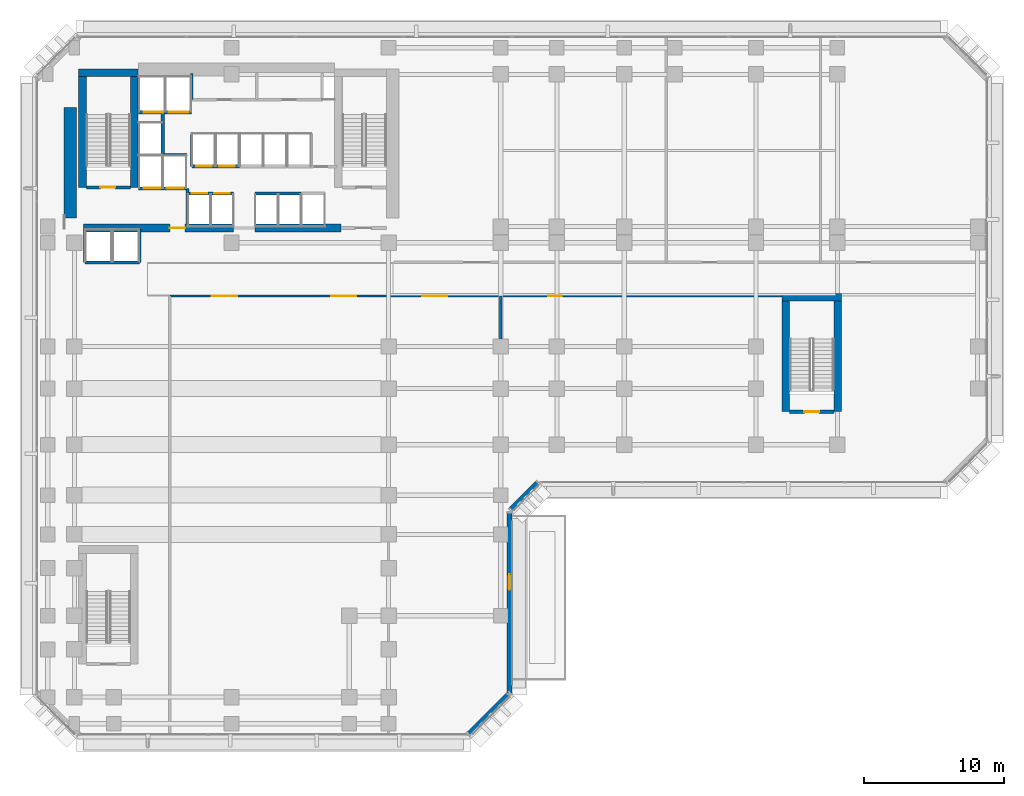
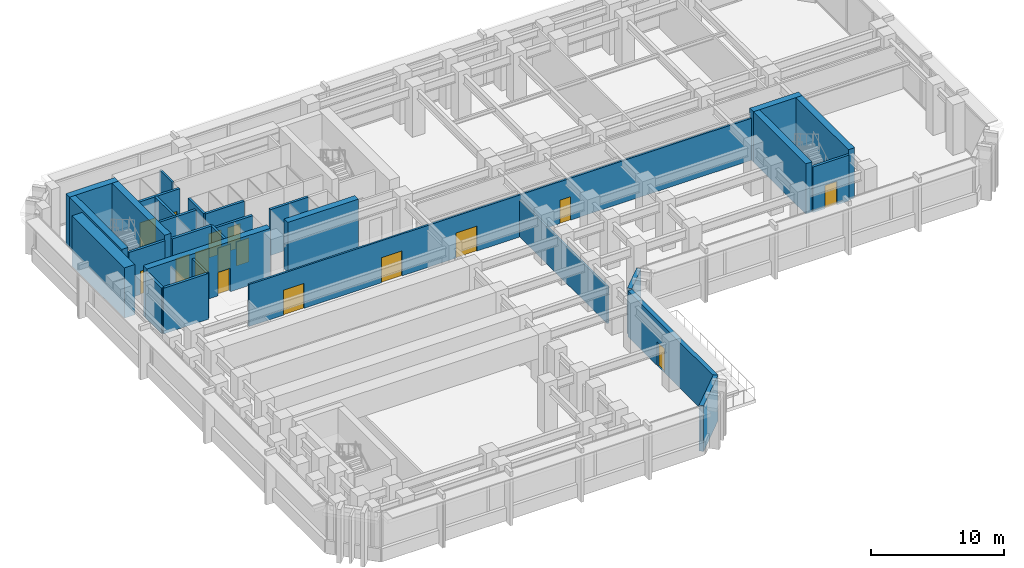
# One storey, part 7 of 16: 29 walls, 16 doors, 16 openings.
"""IFC4 building model written with IfcOpenShell, lengths in metres."""

from ifc_helpers import new_model, si_unit, direction, frame, frame_2d, origin, place, context, subcontext, project, spatial, rectangle, extrude, material, layer, layer_set, type_object, element, fill, save


model = new_model("IFC4")

# Units and contexts
model_context = context("Model", 3, precision=1e-05, world=origin(), true_north=direction((0.0, 1.0)))
body_context = subcontext(model_context, "Body", "Model", "MODEL_VIEW")
ifc_project = project(units=[si_unit("LENGTHUNIT", "METRE"), si_unit("AREAUNIT", "SQUARE_METRE"), si_unit("VOLUMEUNIT", "CUBIC_METRE"), si_unit("PLANEANGLEUNIT", "RADIAN"), si_unit("MASSUNIT", "GRAM", prefix="KILO")], contexts=[model_context])

# Site, building, storey
site_placement = place(None, origin())
site = spatial("IfcSite", under=ifc_project, at=site_placement, CompositionType="ELEMENT")
building_placement = place(site_placement, origin())
building = spatial("IfcBuilding", under=site, at=building_placement, Name="Kefirva Bronze Tower", CompositionType="ELEMENT")
storey_placement = place(building_placement, frame((0.0, 0.0, 21.1201171875)))
storey = spatial("IfcBuildingStorey", under=building, at=storey_placement, Name="L04", CompositionType="ELEMENT", Elevation=21.1201171875)

# Wall, opening, door
ifc_material_1 = material(Name="Gypsum fireboard shaftwall")
ifc_layer_1 = layer(ifc_material_1, 0.219970703125, Name="Gypsum fireboard shaftwall")
ifc_layer_set_1 = layer_set([ifc_layer_1], Name="Gypsum fireboard shaftwall")
wall_type_1 = type_object("IfcWallType", Name="Fire-Rated Shaft Enclosure Wall 220mm", PredefinedType="PARTITIONING", material=ifc_layer_set_1)
wall_1_placement = place(storey_placement, frame((1.64990234375, 37.14990234375, 0.0), z_axis=(0.0, 0.0, 1.0), x_axis=(1.0, 0.0, 0.0)))
wall_1 = element("IfcWall", 1, at=wall_1_placement, inside=storey, type_object=wall_type_1, Name="L04 Partition W-L04-ST1S", PredefinedType="PARTITIONING", context=body_context, shape_type="SweptSolid", body=[
    extrude(rectangle(XDim=3.150146484375, YDim=0.219970703125, at=frame_2d((1.5751953125, 0.0))), origin(), (0.0, 0.0, 1.0), 4.199951171875),
])
opening_1_placement = place(wall_1_placement, frame((2.050048828125, 0.0, 0.0), z_axis=(0.0, 0.0, 1.0), x_axis=(-1.0, 0.0, 0.0)))
opening_1 = element("IfcOpeningElement", 2, at=opening_1_placement, cuts=wall_1, Name="Opening L04-D001", PredefinedType="OPENING", context=body_context, shape_type="SweptSolid", body=[
    extrude(rectangle(XDim=1.050048828125, YDim=2.14990234375, at=frame_2d((0.52490234375, 1.074951171875))), frame((0.0, 0.1201171875, 0.0), z_axis=(0.0, -1.0, 0.0), x_axis=(1.0, 0.0, 0.0)), (0.0, 0.0, 1.0), 0.239990234375),
])
ifc_material_2 = material(Name="Painted galvanized steel", Category="steel")
door_type_1 = type_object("IfcDoorType", Name="Fire Stair Enclosure Door 1050x2150 FD90S", OperationType="NOTDEFINED", PredefinedType="DOOR", material=ifc_material_2)
door_1_placement = place(opening_1_placement, origin())
door_1 = element("IfcDoor", 3, at=door_1_placement, inside=storey, type_object=door_type_1, Name="Door L04-D001", OperationType="SINGLE_SWING_RIGHT", OverallHeight=2.14990234375, OverallWidth=1.050048828125, PredefinedType="DOOR", context=body_context, shape_type="SweptSolid", body=[
    extrude(rectangle(XDim=1.050048828125, YDim=2.14990234375, at=frame_2d((0.52490234375, 1.074951171875))), frame((0.0, 0.02490234375, 0.0), z_axis=(0.0, -1.0, 0.0), x_axis=(1.0, 0.0, 0.0)), (0.0, 0.0, 1.0), 0.050048828125),
])
fill(opening_1, door_1)

# Wall, openings, doors
wall_2_placement = place(storey_placement, frame((5.3798828125, 37.080078125, 0.0), z_axis=(0.0, 0.0, 1.0), x_axis=(1.0, 0.0, 0.0)))
wall_2 = element("IfcWall", 4, at=wall_2_placement, inside=storey, type_object=wall_type_1, Name="L04 Partition W-L04-FFS", PredefinedType="PARTITIONING", context=body_context, shape_type="SweptSolid", body=[
    extrude(rectangle(XDim=3.460205078125, YDim=0.219970703125, at=frame_2d((1.72998046875, 0.0))), origin(), (0.0, 0.0, 1.0), 4.199951171875),
])
opening_2_placement = place(wall_2_placement, frame((1.550048828125, 0.0, 0.0), z_axis=(0.0, 0.0, 1.0), x_axis=(-1.0, 0.0, 0.0)))
opening_2 = element("IfcOpeningElement", 5, at=opening_2_placement, cuts=wall_2, Name="Opening L04-LD-FF1", PredefinedType="OPENING", context=body_context, shape_type="SweptSolid", body=[
    extrude(rectangle(XDim=1.199951171875, YDim=2.199951171875, at=frame_2d((0.60009765625, 1.10009765625))), frame((0.0, 0.1201171875, 0.0), z_axis=(0.0, -1.0, 0.0), x_axis=(1.0, 0.0, 0.0)), (0.0, 0.0, 1.0), 0.239990234375),
])
opening_3_placement = place(wall_2_placement, frame((3.219970703125, 0.0, 0.0), z_axis=(0.0, 0.0, 1.0), x_axis=(-1.0, 0.0, 0.0)))
opening_3 = element("IfcOpeningElement", 6, at=opening_3_placement, cuts=wall_2, Name="Opening L04-LD-FF2", PredefinedType="OPENING", context=body_context, shape_type="SweptSolid", body=[
    extrude(rectangle(XDim=1.199951171875, YDim=2.199951171875, at=frame_2d((0.60009765625, 1.10009765625))), frame((0.0, 0.1201171875, 0.0), z_axis=(0.0, -1.0, 0.0), x_axis=(1.0, 0.0, 0.0)), (0.0, 0.0, 1.0), 0.239990234375),
])
ifc_material_3 = material(Name="Stainless steel 316", Category="steel")
door_type_2 = type_object("IfcDoorType", Name="Firefighting Lift Sliding Door 1200x2200", OperationType="SLIDING_TO_RIGHT", PredefinedType="DOOR", material=ifc_material_3)
door_2_placement = place(opening_2_placement, origin())
door_2 = element("IfcDoor", 7, at=door_2_placement, inside=storey, type_object=door_type_2, Name="Door L04-LD-FF1", OperationType="SLIDING_TO_RIGHT", OverallHeight=2.199951171875, OverallWidth=1.199951171875, PredefinedType="DOOR", context=body_context, shape_type="SweptSolid", body=[
    extrude(rectangle(XDim=1.199951171875, YDim=2.199951171875, at=frame_2d((0.60009765625, 1.10009765625))), frame((0.0, 0.02490234375, 0.0), z_axis=(0.0, -1.0, 0.0), x_axis=(1.0, 0.0, 0.0)), (0.0, 0.0, 1.0), 0.050048828125),
])
fill(opening_2, door_2)
door_3_placement = place(opening_3_placement, origin())
door_3 = element("IfcDoor", 8, at=door_3_placement, inside=storey, type_object=door_type_2, Name="Door L04-LD-FF2", OperationType="SLIDING_TO_RIGHT", OverallHeight=2.199951171875, OverallWidth=1.199951171875, PredefinedType="DOOR", context=body_context, shape_type="SweptSolid", body=[
    extrude(rectangle(XDim=1.199951171875, YDim=2.199951171875, at=frame_2d((0.60009765625, 1.10009765625))), frame((0.0, 0.02490234375, 0.0), z_axis=(0.0, -1.0, 0.0), x_axis=(1.0, 0.0, 0.0)), (0.0, 0.0, 1.0), 0.050048828125),
])
fill(opening_3, door_3)

# Wall
wall_3_placement = place(storey_placement, frame((5.3798828125, 39.449951171875, 0.0), z_axis=(0.0, 0.0, 1.0), x_axis=(1.0, 0.0, 0.0)))
element("IfcWall", 9, at=wall_3_placement, inside=storey, type_object=wall_type_1, Name="L04 Partition W-L04-FFN", PredefinedType="PARTITIONING", context=body_context, shape_type="SweptSolid", body=[
    extrude(rectangle(XDim=3.460205078125, YDim=0.219970703125, at=frame_2d((1.72998046875, 0.0))), origin(), (0.0, 0.0, 1.0), 4.199951171875),
])

# Wall, openings, doors
wall_4_placement = place(storey_placement, frame((5.3798828125, 42.5, 0.0), z_axis=(0.0, 0.0, 1.0), x_axis=(1.0, 0.0, 0.0)))
wall_4 = element("IfcWall", 10, at=wall_4_placement, inside=storey, type_object=wall_type_1, Name="L04 Partition W-L04-SVS", PredefinedType="PARTITIONING", context=body_context, shape_type="SweptSolid", body=[
    extrude(rectangle(XDim=3.77001953125, YDim=0.219970703125, at=frame_2d((1.885009765625, 0.0))), origin(), (0.0, 0.0, 1.0), 4.199951171875),
])
opening_4_placement = place(wall_4_placement, frame((1.75, 0.0, 0.0), z_axis=(0.0, 0.0, 1.0), x_axis=(-1.0, 0.0, 0.0)))
opening_4 = element("IfcOpeningElement", 11, at=opening_4_placement, cuts=wall_4, Name="Opening L04-LD-SV1", PredefinedType="OPENING", context=body_context, shape_type="SweptSolid", body=[
    extrude(rectangle(XDim=1.39990234375, YDim=2.199951171875, at=frame_2d((0.699951171875, 1.10009765625))), frame((0.0, 0.1201171875, 0.0), z_axis=(0.0, -1.0, 0.0), x_axis=(1.0, 0.0, 0.0)), (0.0, 0.0, 1.0), 0.239990234375),
])
opening_5_placement = place(wall_4_placement, frame((3.52978515625, 0.0, 0.0), z_axis=(0.0, 0.0, 1.0), x_axis=(-1.0, 0.0, 0.0)))
opening_5 = element("IfcOpeningElement", 12, at=opening_5_placement, cuts=wall_4, Name="Opening L04-LD-SV2", PredefinedType="OPENING", context=body_context, shape_type="SweptSolid", body=[
    extrude(rectangle(XDim=1.39990234375, YDim=2.199951171875, at=frame_2d((0.699951171875, 1.10009765625))), frame((0.0, 0.1201171875, 0.0), z_axis=(0.0, -1.0, 0.0), x_axis=(1.0, 0.0, 0.0)), (0.0, 0.0, 1.0), 0.239990234375),
])
door_type_3 = type_object("IfcDoorType", Name="Goods Lift Bi-Parting Sliding Door 1400x2200", OperationType="SLIDING_TO_LEFT", PredefinedType="DOOR", material=ifc_material_3)
door_4_placement = place(opening_4_placement, origin())
door_4 = element("IfcDoor", 13, at=door_4_placement, inside=storey, type_object=door_type_3, Name="Door L04-LD-SV1", OperationType="SLIDING_TO_LEFT", OverallHeight=2.199951171875, OverallWidth=1.39990234375, PredefinedType="DOOR", context=body_context, shape_type="SweptSolid", body=[
    extrude(rectangle(XDim=1.39990234375, YDim=2.199951171875, at=frame_2d((0.699951171875, 1.10009765625))), frame((0.0, 0.02490234375, 0.0), z_axis=(0.0, -1.0, 0.0), x_axis=(1.0, 0.0, 0.0)), (0.0, 0.0, 1.0), 0.050048828125),
])
fill(opening_4, door_4)
door_5_placement = place(opening_5_placement, origin())
door_5 = element("IfcDoor", 14, at=door_5_placement, inside=storey, type_object=door_type_3, Name="Door L04-LD-SV2", OperationType="SLIDING_TO_LEFT", OverallHeight=2.199951171875, OverallWidth=1.39990234375, PredefinedType="DOOR", context=body_context, shape_type="SweptSolid", body=[
    extrude(rectangle(XDim=1.39990234375, YDim=2.199951171875, at=frame_2d((0.699951171875, 1.10009765625))), frame((0.0, 0.02490234375, 0.0), z_axis=(0.0, -1.0, 0.0), x_axis=(1.0, 0.0, 0.0)), (0.0, 0.0, 1.0), 0.050048828125),
])
fill(opening_5, door_5)

# Walls
wall_5_placement = place(storey_placement, frame((7.10009765625, 39.52001953125, 0.0), z_axis=(0.0, 0.0, 1.0), x_axis=(0.0, 1.0, 0.0)))
element("IfcWall", 15, at=wall_5_placement, inside=storey, type_object=wall_type_1, Name="L04 Partition W-L04-HP3E", PredefinedType="PARTITIONING", context=body_context, shape_type="SweptSolid", body=[
    extrude(rectangle(XDim=2.929931640625, YDim=0.219970703125, at=frame_2d((1.46484375, 0.0))), origin(), (0.0, 0.0, 1.0), 4.199951171875),
])
wall_6_placement = place(storey_placement, frame((1.550048828125, 31.800048828125, 0.0), z_axis=(0.0, 0.0, 1.0), x_axis=(1.0, 0.0, 0.0)))
element("IfcWall", 16, at=wall_6_placement, inside=storey, type_object=wall_type_1, Name="L04 Partition W-L04-OBS", PredefinedType="PARTITIONING", context=body_context, shape_type="SweptSolid", body=[
    extrude(rectangle(XDim=3.89990234375, YDim=0.219970703125, at=frame_2d((1.949951171875, 0.0))), origin(), (0.0, 0.0, 1.0), 4.199951171875),
])
for number, where, z_axis, x_axis, name in (
    (17, (1.550048828125, 31.800048828125, 0.0), (0.0, 0.0, 1.0), (0.0, 1.0, 0.0), "L04 Partition W-L04-OBW"),
    (18, (5.449951171875, 31.800048828125, 0.0), (0.0, 0.0, 1.0), (0.0, 1.0, 0.0), "L04 Partition W-L04-OBE"),
):
    element("IfcWall", number, at=place(storey_placement, frame(where, z_axis=z_axis, x_axis=x_axis)), inside=storey, type_object=wall_type_1, Name=name, PredefinedType="PARTITIONING", context=body_context, shape_type="SweptSolid", body=[
        extrude(rectangle(XDim=2.3798828125, YDim=0.219970703125, at=frame_2d((1.18994140625, 0.0))), origin(), (0.0, 0.0, 1.0), 4.199951171875),
    ])
wall_7_placement = place(storey_placement, frame((9.159912109375, 38.64990234375, 0.0), z_axis=(0.0, 0.0, 1.0), x_axis=(0.0, 1.0, 0.0)))
element("IfcWall", 19, at=wall_7_placement, inside=storey, type_object=wall_type_1, Name="L04 Partition W-L04-LP3W", PredefinedType="PARTITIONING", context=body_context, shape_type="SweptSolid", body=[
    extrude(rectangle(XDim=2.35009765625, YDim=0.199951171875, at=frame_2d((1.175048828125, 0.0))), origin(), (0.0, 0.0, 1.0), 4.199951171875),
])

# Wall, openings, doors
wall_8_placement = place(storey_placement, frame((8.89990234375, 36.699951171875, 0.0), z_axis=(0.0, 0.0, 1.0), x_axis=(1.0, 0.0, 0.0)))
wall_8 = element("IfcWall", 20, at=wall_8_placement, inside=storey, type_object=wall_type_1, Name="L04 Partition W-L04-LPS", PredefinedType="PARTITIONING", context=body_context, shape_type="SweptSolid", body=[
    extrude(rectangle(XDim=3.260009765625, YDim=0.219970703125, at=frame_2d((1.6298828125, 0.0))), origin(), (0.0, 0.0, 1.0), 4.199951171875),
])
opening_6_placement = place(wall_8_placement, frame((0.260009765625, 0.0, 0.0)))
opening_6 = element("IfcOpeningElement", 21, at=opening_6_placement, cuts=wall_8, Name="Opening L04-LD-LP1", PredefinedType="OPENING", context=body_context, shape_type="SweptSolid", body=[
    extrude(rectangle(XDim=1.10009765625, YDim=2.199951171875, at=frame_2d((0.550048828125, 1.10009765625))), frame((0.0, 0.1201171875, 0.0), z_axis=(0.0, -1.0, 0.0), x_axis=(1.0, 0.0, 0.0)), (0.0, 0.0, 1.0), 0.239990234375),
])
opening_7_placement = place(wall_8_placement, frame((1.8798828125, 0.0, 0.0)))
opening_7 = element("IfcOpeningElement", 22, at=opening_7_placement, cuts=wall_8, Name="Opening L04-LD-LP2", PredefinedType="OPENING", context=body_context, shape_type="SweptSolid", body=[
    extrude(rectangle(XDim=1.10009765625, YDim=2.199951171875, at=frame_2d((0.550048828125, 1.10009765625))), frame((0.0, 0.1201171875, 0.0), z_axis=(0.0, -1.0, 0.0), x_axis=(1.0, 0.0, 0.0)), (0.0, 0.0, 1.0), 0.239990234375),
])
door_type_4 = type_object("IfcDoorType", Name="Passenger Lift Sliding Landing Door 1100x2200", OperationType="SLIDING_TO_LEFT", PredefinedType="DOOR", material=ifc_material_3)
door_6_placement = place(opening_6_placement, origin())
door_6 = element("IfcDoor", 23, at=door_6_placement, inside=storey, type_object=door_type_4, Name="Door L04-LD-LP1", OperationType="SLIDING_TO_LEFT", OverallHeight=2.199951171875, OverallWidth=1.10009765625, PredefinedType="DOOR", context=body_context, shape_type="SweptSolid", body=[
    extrude(rectangle(XDim=1.10009765625, YDim=2.199951171875, at=frame_2d((0.550048828125, 1.10009765625))), frame((0.0, 0.02490234375, 0.0), z_axis=(0.0, -1.0, 0.0), x_axis=(1.0, 0.0, 0.0)), (0.0, 0.0, 1.0), 0.050048828125),
])
fill(opening_6, door_6)
door_7_placement = place(opening_7_placement, origin())
door_7 = element("IfcDoor", 24, at=door_7_placement, inside=storey, type_object=door_type_4, Name="Door L04-LD-LP2", OperationType="SLIDING_TO_LEFT", OverallHeight=2.199951171875, OverallWidth=1.10009765625, PredefinedType="DOOR", context=body_context, shape_type="SweptSolid", body=[
    extrude(rectangle(XDim=1.10009765625, YDim=2.199951171875, at=frame_2d((0.550048828125, 1.10009765625))), frame((0.0, 0.02490234375, 0.0), z_axis=(0.0, -1.0, 0.0), x_axis=(1.0, 0.0, 0.0)), (0.0, 0.0, 1.0), 0.050048828125),
])
fill(opening_7, door_7)

wall_9_placement = place(storey_placement, frame((9.179931640625, 38.64990234375, 0.0), z_axis=(0.0, 0.0, 1.0), x_axis=(1.0, 0.0, 0.0)))
wall_9 = element("IfcWall", 25, at=wall_9_placement, inside=storey, type_object=wall_type_1, Name="L04 Partition W-L04-LPN", PredefinedType="PARTITIONING", context=body_context, shape_type="SweptSolid", body=[
    extrude(rectangle(XDim=3.380126953125, YDim=0.219970703125, at=frame_2d((1.68994140625, 0.0))), origin(), (0.0, 0.0, 1.0), 4.199951171875),
])
opening_8_placement = place(wall_9_placement, frame((0.300048828125, 0.0, 0.0)))
opening_8 = element("IfcOpeningElement", 26, at=opening_8_placement, cuts=wall_9, Name="Opening L04-LD-LP3", PredefinedType="OPENING", context=body_context, shape_type="SweptSolid", body=[
    extrude(rectangle(XDim=1.10009765625, YDim=2.199951171875, at=frame_2d((0.550048828125, 1.10009765625))), frame((0.0, 0.1201171875, 0.0), z_axis=(0.0, -1.0, 0.0), x_axis=(1.0, 0.0, 0.0)), (0.0, 0.0, 1.0), 0.239990234375),
])
opening_9_placement = place(wall_9_placement, frame((1.949951171875, 0.0, 0.0)))
opening_9 = element("IfcOpeningElement", 27, at=opening_9_placement, cuts=wall_9, Name="Opening L04-LD-LP4", PredefinedType="OPENING", context=body_context, shape_type="SweptSolid", body=[
    extrude(rectangle(XDim=1.10009765625, YDim=2.199951171875, at=frame_2d((0.550048828125, 1.10009765625))), frame((0.0, 0.1201171875, 0.0), z_axis=(0.0, -1.0, 0.0), x_axis=(1.0, 0.0, 0.0)), (0.0, 0.0, 1.0), 0.239990234375),
])
door_8_placement = place(opening_8_placement, origin())
door_8 = element("IfcDoor", 28, at=door_8_placement, inside=storey, type_object=door_type_4, Name="Door L04-LD-LP3", OperationType="SLIDING_TO_LEFT", OverallHeight=2.199951171875, OverallWidth=1.10009765625, PredefinedType="DOOR", context=body_context, shape_type="SweptSolid", body=[
    extrude(rectangle(XDim=1.10009765625, YDim=2.199951171875, at=frame_2d((0.550048828125, 1.10009765625))), frame((0.0, 0.02490234375, 0.0), z_axis=(0.0, -1.0, 0.0), x_axis=(1.0, 0.0, 0.0)), (0.0, 0.0, 1.0), 0.050048828125),
])
fill(opening_8, door_8)
door_9_placement = place(opening_9_placement, origin())
door_9 = element("IfcDoor", 29, at=door_9_placement, inside=storey, type_object=door_type_4, Name="Door L04-LD-LP4", OperationType="SLIDING_TO_LEFT", OverallHeight=2.199951171875, OverallWidth=1.10009765625, PredefinedType="DOOR", context=body_context, shape_type="SweptSolid", body=[
    extrude(rectangle(XDim=1.10009765625, YDim=2.199951171875, at=frame_2d((0.550048828125, 1.10009765625))), frame((0.0, 0.02490234375, 0.0), z_axis=(0.0, -1.0, 0.0), x_axis=(1.0, 0.0, 0.0)), (0.0, 0.0, 1.0), 0.050048828125),
])
fill(opening_9, door_9)

# Wall
wall_10_placement = place(storey_placement, frame((13.679931640625, 36.699951171875, 0.0), z_axis=(0.0, 0.0, 1.0), x_axis=(1.0, 0.0, 0.0)))
element("IfcWall", 30, at=wall_10_placement, inside=storey, type_object=wall_type_1, Name="L04 Partition W-L04-MPS", PredefinedType="PARTITIONING", context=body_context, shape_type="SweptSolid", body=[
    extrude(rectangle(XDim=3.280029296875, YDim=0.219970703125, at=frame_2d((1.64013671875, 0.0))), origin(), (0.0, 0.0, 1.0), 4.199951171875),
])

# Wall, opening, door
wall_11_placement = place(storey_placement, frame((51.800048828125, 21.14990234375, 0.0), z_axis=(0.0, 0.0, 1.0), x_axis=(1.0, 0.0, 0.0)))
wall_11 = element("IfcWall", 31, at=wall_11_placement, inside=storey, type_object=wall_type_1, Name="L04 Partition W-L04-ST4S", PredefinedType="PARTITIONING", context=body_context, shape_type="SweptSolid", body=[
    extrude(rectangle(XDim=3.14990234375, YDim=0.219970703125, at=frame_2d((1.574951171875, 0.0))), origin(), (0.0, 0.0, 1.0), 4.199951171875),
])
opening_10_placement = place(wall_11_placement, frame((2.10009765625, 0.0, 0.0), z_axis=(0.0, 0.0, 1.0), x_axis=(-1.0, 0.0, 0.0)))
opening_10 = element("IfcOpeningElement", 32, at=opening_10_placement, cuts=wall_11, Name="Opening L04-D-ST4", PredefinedType="OPENING", context=body_context, shape_type="SweptSolid", body=[
    extrude(rectangle(XDim=1.050048828125, YDim=2.14990234375, at=frame_2d((0.52490234375, 1.074951171875))), frame((0.0, 0.1201171875, 0.0), z_axis=(0.0, -1.0, 0.0), x_axis=(1.0, 0.0, 0.0)), (0.0, 0.0, 1.0), 0.239990234375),
])
door_10_placement = place(opening_10_placement, origin())
door_10 = element("IfcDoor", 33, at=door_10_placement, inside=storey, type_object=door_type_1, Name="Door L04-D-ST4", OperationType="SINGLE_SWING_RIGHT", OverallHeight=2.14990234375, OverallWidth=1.050048828125, PredefinedType="DOOR", context=body_context, shape_type="SweptSolid", body=[
    extrude(rectangle(XDim=1.050048828125, YDim=2.14990234375, at=frame_2d((0.52490234375, 1.074951171875))), frame((0.0, 0.02490234375, 0.0), z_axis=(0.0, -1.0, 0.0), x_axis=(1.0, 0.0, 0.0)), (0.0, 0.0, 1.0), 0.050048828125),
])
fill(opening_10, door_10)

# Walls
ifc_material_4 = material(Name="Gypsum fireboard barrier")
ifc_layer_2 = layer(ifc_material_4, 0.199951171875, Name="Gypsum fireboard barrier")
ifc_layer_set_2 = layer_set([ifc_layer_2], Name="Gypsum fireboard barrier")
wall_type_2 = type_object("IfcWallType", Name="Firefighting Lobby Barrier Wall 200mm", PredefinedType="PARTITIONING", material=ifc_layer_set_2)
wall_12_placement = place(storey_placement, frame((8.860107421875, 34.550048828125, 0.0), z_axis=(0.0, 0.0, 1.0), x_axis=(0.0, 1.0, 0.0)))
element("IfcWall", 34, at=wall_12_placement, inside=storey, type_object=wall_type_2, Name="L04 Partition W-L04-FFLE", PredefinedType="PARTITIONING", context=body_context, shape_type="SweptSolid", body=[
    extrude(rectangle(XDim=2.5, YDim=0.199951171875, at=frame_2d((1.25, 0.0))), origin(), (0.0, 0.0, 1.0), 4.199951171875),
])
ifc_material_5 = material(Name="Precast concrete C40/50", Category="concrete")
ifc_layer_3 = layer(ifc_material_5, 0.360107421875, Name="Precast concrete C40/50")
ifc_layer_set_3 = layer_set([ifc_layer_3], Name="Precast concrete C40/50")
wall_type_3 = type_object("IfcWallType", Name="Precast Podium Facade Wall 360mm", PredefinedType="SOLIDWALL", material=ifc_layer_set_3)
wall_13_placement = place(storey_placement, frame((28.91162109375, -1.833740234375, 0.0), z_axis=(0.0, 0.0, 1.0), x_axis=(0.707106781187, 0.707106781187, 0.0)))
element("IfcWall", 35, at=wall_13_placement, inside=storey, type_object=wall_type_3, Name="L04 Exterior Facade Wall 1", PredefinedType="SOLIDWALL", context=body_context, shape_type="SweptSolid", body=[
    extrude(rectangle(XDim=4.132568359375, YDim=0.360107421875, at=frame_2d((2.06640625, 0.0))), origin(), (0.0, 0.0, 1.0), 4.199951171875),
])

# Wall, opening, door
wall_14_placement = place(storey_placement, frame((31.820068359375, 1.054931640625, 0.0), z_axis=(0.0, 0.0, 1.0), x_axis=(0.0, 1.0, 0.0)))
wall_14 = element("IfcWall", 36, at=wall_14_placement, inside=storey, type_object=wall_type_3, Name="L04 Exterior Facade Wall 2", PredefinedType="SOLIDWALL", context=body_context, shape_type="SweptSolid", body=[
    extrude(rectangle(XDim=12.89013671875, YDim=0.360107421875, at=frame_2d((6.445068359375, 0.0))), origin(), (0.0, 0.0, 1.0), 4.199951171875),
])
opening_11_placement = place(wall_14_placement, frame((8.491943359375, 0.0, 0.0), z_axis=(0.0, 0.0, 1.0), x_axis=(-1.0, 0.0, 0.0)))
opening_11 = element("IfcOpeningElement", 37, at=opening_11_placement, cuts=wall_14, Name="Opening D-TR1", PredefinedType="OPENING", context=body_context, shape_type="SweptSolid", body=[
    extrude(rectangle(XDim=1.10009765625, YDim=2.199951171875, at=frame_2d((0.550048828125, 1.10009765625))), frame((0.0, 0.18994140625, 0.0), z_axis=(0.0, -1.0, 0.0), x_axis=(1.0, 0.0, 0.0)), (0.0, 0.0, 1.0), 0.380126953125),
])
ifc_material_6 = material(Name="Bronze anodised aluminium", Category="aluminium")
door_type_5 = type_object("IfcDoorType", Name="Exterior Sky-Terrace Glazed Door 1100x2200", OperationType="NOTDEFINED", PredefinedType="DOOR", material=ifc_material_6)
door_11_placement = place(opening_11_placement, origin())
door_11 = element("IfcDoor", 38, at=door_11_placement, inside=storey, type_object=door_type_5, Name="L04 Sky-Garden Terrace Access Door", OperationType="SINGLE_SWING_LEFT", OverallHeight=2.199951171875, OverallWidth=1.10009765625, PredefinedType="DOOR", context=body_context, shape_type="SweptSolid", body=[
    extrude(rectangle(XDim=1.10009765625, YDim=2.199951171875, at=frame_2d((0.550048828125, 1.10009765625))), frame((0.0, 0.02490234375, 0.0), z_axis=(0.0, -1.0, 0.0), x_axis=(1.0, 0.0, 0.0)), (0.0, 0.0, 1.0), 0.050048828125),
])
fill(opening_11, door_11)

# Wall
wall_15_placement = place(storey_placement, frame((31.91162109375, 14.166259765625, 0.0), z_axis=(0.0, 0.0, 1.0), x_axis=(0.707106781187, 0.707106781187, 0.0)))
element("IfcWall", 39, at=wall_15_placement, inside=storey, type_object=wall_type_3, Name="L04 Exterior Facade Wall 3", PredefinedType="SOLIDWALL", context=body_context, shape_type="SweptSolid", body=[
    extrude(rectangle(XDim=2.71826171875, YDim=0.360107421875, at=frame_2d((1.359130859375, 0.0))), origin(), (0.0, 0.0, 1.0), 4.199951171875),
])

# Wall, openings, doors
ifc_material_7 = material(Name="Gypsum acoustic partition")
ifc_layer_4 = layer(ifc_material_7, 0.159912109375, Name="Gypsum acoustic partition")
ifc_layer_set_4 = layer_set([ifc_layer_4], Name="Gypsum acoustic partition")
wall_type_4 = type_object("IfcWallType", Name="Protected Corridor Partition 160mm", PredefinedType="PARTITIONING", material=ifc_layer_set_4)
wall_16_placement = place(storey_placement, frame((7.60009765625, 29.39990234375, 0.0), z_axis=(0.0, 0.0, 1.0), x_axis=(1.0, 0.0, 0.0)))
wall_16 = element("IfcWall", 40, at=wall_16_placement, inside=storey, type_object=wall_type_4, Name="L04 Partition W-L04-S", PredefinedType="PARTITIONING", context=body_context, shape_type="SweptSolid", body=[
    extrude(rectangle(XDim=43.75, YDim=0.159912109375, at=frame_2d((21.875, 0.0))), origin(), (0.0, 0.0, 1.0), 3.85498046875),
])
opening_12_placement = place(wall_16_placement, frame((3.0, 0.0, 0.0)))
opening_12 = element("IfcOpeningElement", 41, at=opening_12_placement, cuts=wall_16, Name="Opening L04-D-DIN1", PredefinedType="OPENING", context=body_context, shape_type="SweptSolid", body=[
    extrude(rectangle(XDim=1.800048828125, YDim=2.300048828125, at=frame_2d((0.89990234375, 1.14990234375))), frame((0.0, 0.08984375, 0.0), z_axis=(0.0, -1.0, 0.0), x_axis=(1.0, 0.0, 0.0)), (0.0, 0.0, 1.0), 0.179931640625),
])
opening_13_placement = place(wall_16_placement, frame((11.5, 0.0, 0.0)))
opening_13 = element("IfcOpeningElement", 42, at=opening_13_placement, cuts=wall_16, Name="Opening L04-D-DIN2", PredefinedType="OPENING", context=body_context, shape_type="SweptSolid", body=[
    extrude(rectangle(XDim=1.800048828125, YDim=2.300048828125, at=frame_2d((0.89990234375, 1.14990234375))), frame((0.0, 0.08984375, 0.0), z_axis=(0.0, -1.0, 0.0), x_axis=(1.0, 0.0, 0.0)), (0.0, 0.0, 1.0), 0.179931640625),
])
opening_14_placement = place(wall_16_placement, frame((18.0, 0.0, 0.0)))
opening_14 = element("IfcOpeningElement", 43, at=opening_14_placement, cuts=wall_16, Name="Opening L04-D-COF", PredefinedType="OPENING", context=body_context, shape_type="SweptSolid", body=[
    extrude(rectangle(XDim=1.800048828125, YDim=2.300048828125, at=frame_2d((0.89990234375, 1.14990234375))), frame((0.0, 0.08984375, 0.0), z_axis=(0.0, -1.0, 0.0), x_axis=(1.0, 0.0, 0.0)), (0.0, 0.0, 1.0), 0.179931640625),
])
opening_15_placement = place(wall_16_placement, frame((27.0, 0.0, 0.0)))
opening_15 = element("IfcOpeningElement", 44, at=opening_15_placement, cuts=wall_16, Name="Opening L04-D-CAT", PredefinedType="OPENING", context=body_context, shape_type="SweptSolid", body=[
    extrude(rectangle(XDim=0.949951171875, YDim=2.14990234375, at=frame_2d((0.47509765625, 1.074951171875))), frame((0.0, 0.08984375, 0.0), z_axis=(0.0, -1.0, 0.0), x_axis=(1.0, 0.0, 0.0)), (0.0, 0.0, 1.0), 0.179931640625),
])
ifc_material_8 = material(Name="Acoustic hardwood oak", Category="wood")
door_type_6 = type_object("IfcDoorType", Name="Auditorium & Dining Double Door 1800x2300", OperationType="DOUBLE_DOOR_SINGLE_SWING", PredefinedType="DOOR", material=ifc_material_8)
door_12_placement = place(opening_12_placement, origin())
door_12 = element("IfcDoor", 45, at=door_12_placement, inside=storey, type_object=door_type_6, Name="Door L04-D-DIN1", OperationType="SINGLE_SWING_LEFT", OverallHeight=2.300048828125, OverallWidth=1.800048828125, PredefinedType="DOOR", context=body_context, shape_type="SweptSolid", body=[
    extrude(rectangle(XDim=1.800048828125, YDim=2.300048828125, at=frame_2d((0.89990234375, 1.14990234375))), frame((0.0, 0.02490234375, 0.0), z_axis=(0.0, -1.0, 0.0), x_axis=(1.0, 0.0, 0.0)), (0.0, 0.0, 1.0), 0.050048828125),
])
fill(opening_12, door_12)
door_13_placement = place(opening_13_placement, origin())
door_13 = element("IfcDoor", 46, at=door_13_placement, inside=storey, type_object=door_type_6, Name="Door L04-D-DIN2", OperationType="SINGLE_SWING_RIGHT", OverallHeight=2.300048828125, OverallWidth=1.800048828125, PredefinedType="DOOR", context=body_context, shape_type="SweptSolid", body=[
    extrude(rectangle(XDim=1.800048828125, YDim=2.300048828125, at=frame_2d((0.89990234375, 1.14990234375))), frame((0.0, 0.02490234375, 0.0), z_axis=(0.0, -1.0, 0.0), x_axis=(1.0, 0.0, 0.0)), (0.0, 0.0, 1.0), 0.050048828125),
])
fill(opening_13, door_13)
door_14_placement = place(opening_14_placement, origin())
door_14 = element("IfcDoor", 47, at=door_14_placement, inside=storey, type_object=door_type_6, Name="Door L04-D-COF", OperationType="SINGLE_SWING_LEFT", OverallHeight=2.300048828125, OverallWidth=1.800048828125, PredefinedType="DOOR", context=body_context, shape_type="SweptSolid", body=[
    extrude(rectangle(XDim=1.800048828125, YDim=2.300048828125, at=frame_2d((0.89990234375, 1.14990234375))), frame((0.0, 0.02490234375, 0.0), z_axis=(0.0, -1.0, 0.0), x_axis=(1.0, 0.0, 0.0)), (0.0, 0.0, 1.0), 0.050048828125),
])
fill(opening_14, door_14)
door_type_7 = type_object("IfcDoorType", Name="Office & Meeting Room Door 950x2150", OperationType="NOTDEFINED", PredefinedType="DOOR", material=ifc_material_8)
door_15_placement = place(opening_15_placement, origin())
door_15 = element("IfcDoor", 48, at=door_15_placement, inside=storey, type_object=door_type_7, Name="Door L04-D-CAT", OperationType="SINGLE_SWING_RIGHT", OverallHeight=2.14990234375, OverallWidth=0.949951171875, PredefinedType="DOOR", context=body_context, shape_type="SweptSolid", body=[
    extrude(rectangle(XDim=0.949951171875, YDim=2.14990234375, at=frame_2d((0.47509765625, 1.074951171875))), frame((0.0, 0.02490234375, 0.0), z_axis=(0.0, -1.0, 0.0), x_axis=(1.0, 0.0, 0.0)), (0.0, 0.0, 1.0), 0.050048828125),
])
fill(opening_15, door_15)

# Walls
wall_17_placement = place(storey_placement, frame((31.199951171875, 16.18994140625, 0.0), z_axis=(0.0, 0.0, 1.0), x_axis=(0.0, 1.0, 0.0)))
element("IfcWall", 49, at=wall_17_placement, inside=storey, type_object=wall_type_4, Name="L04 Partition W-L04-COFE", PredefinedType="PARTITIONING", context=body_context, shape_type="SweptSolid", body=[
    extrude(rectangle(XDim=13.2099609375, YDim=0.159912109375, at=frame_2d((6.60498046875, 0.0))), origin(), (0.0, 0.0, 1.0), 3.384765625),
])
ifc_material_9 = material(Name="Concrete C50/60", Category="concrete")
ifc_layer_5 = layer(ifc_material_9, 0.550048828125, Name="Concrete C50/60")
ifc_layer_set_5 = layer_set([ifc_layer_5], Name="Concrete C50/60")
wall_type_5 = type_object("IfcWallType", Name="RC Rear Core Interior Wall 550mm", PredefinedType="SHEAR", material=ifc_layer_set_5)
for number, where, z_axis, x_axis, name in (
    (50, (1.3701171875, 37.14990234375, 0.0), (0.0, 0.0, 1.0), (0.0, 1.0, 0.0), "L04 Stair 1 West Shear Wall"),
    (51, (5.070068359375, 37.14990234375, 0.0), (0.0, 0.0, 1.0), (0.0, 1.0, 0.0), "L04 Stair 1 East Shear Wall"),
):
    element("IfcWall", number, at=place(storey_placement, frame(where, z_axis=z_axis, x_axis=x_axis)), inside=storey, type_object=wall_type_5, Name=name, PredefinedType="SHEAR", context=body_context, shape_type="SweptSolid", body=[
        extrude(rectangle(XDim=7.89013671875, YDim=0.550048828125, at=frame_2d((3.945068359375, 0.0))), origin(), (0.0, 0.0, 1.0), 4.619873046875),
    ])
wall_18_placement = place(storey_placement, frame((1.10009765625, 45.320068359375, 0.0), z_axis=(0.0, 0.0, 1.0), x_axis=(1.0, 0.0, 0.0)))
element("IfcWall", 52, at=wall_18_placement, inside=storey, type_object=wall_type_5, Name="L04 Stair 1 North Shear Wall", PredefinedType="SHEAR", context=body_context, shape_type="SweptSolid", body=[
    extrude(rectangle(XDim=4.239990234375, YDim=0.550048828125, at=frame_2d((2.1201171875, 0.0))), origin(), (0.0, 0.0, 1.0), 4.619873046875),
])
for number, where, z_axis, x_axis, name in (
    (53, (51.52001953125, 21.14990234375, 0.0), (0.0, 0.0, 1.0), (0.0, 1.0, 0.0), "L04 Stair 4 West Shear Wall"),
    (54, (55.219970703125, 21.14990234375, 0.0), (0.0, 0.0, 1.0), (0.0, 1.0, 0.0), "L04 Stair 4 East Shear Wall"),
):
    element("IfcWall", number, at=place(storey_placement, frame(where, z_axis=z_axis, x_axis=x_axis)), inside=storey, type_object=wall_type_5, Name=name, PredefinedType="SHEAR", context=body_context, shape_type="SweptSolid", body=[
        extrude(rectangle(XDim=7.89013671875, YDim=0.550048828125, at=frame_2d((3.945068359375, 0.0))), origin(), (0.0, 0.0, 1.0), 4.619873046875),
    ])
wall_19_placement = place(storey_placement, frame((51.25, 29.320068359375, 0.0), z_axis=(0.0, 0.0, 1.0), x_axis=(1.0, 0.0, 0.0)))
element("IfcWall", 55, at=wall_19_placement, inside=storey, type_object=wall_type_5, Name="L04 Stair 4 North Shear Wall", PredefinedType="SHEAR", context=body_context, shape_type="SweptSolid", body=[
    extrude(rectangle(XDim=4.239990234375, YDim=0.550048828125, at=frame_2d((2.1201171875, 0.0))), origin(), (0.0, 0.0, 1.0), 4.619873046875),
])
ifc_material_10 = material(Name="Concrete C60/75", Category="concrete")
ifc_layer_6 = layer(ifc_material_10, 0.89990234375, Name="Concrete C60/75")
ifc_layer_set_6 = layer_set([ifc_layer_6], Name="Concrete C60/75")
wall_type_6 = type_object("IfcWallType", Name="RC Rear Core Interior Wall 900mm", PredefinedType="SHEAR", material=ifc_layer_set_6)
wall_20_placement = place(storey_placement, frame((0.5, 34.949951171875, 0.0), z_axis=(0.0, 0.0, 1.0), x_axis=(0.0, 1.0, 0.0)))
element("IfcWall", 56, at=wall_20_placement, inside=storey, type_object=wall_type_6, Name="L04 Rear Core West Shear Wall", PredefinedType="SHEAR", context=body_context, shape_type="SweptSolid", body=[
    extrude(rectangle(XDim=7.900146484375, YDim=0.89990234375, at=frame_2d((3.9501953125, 0.0))), origin(), (0.0, 0.0, 1.0), 4.619873046875),
])

# Wall, opening, door
wall_21_placement = place(storey_placement, frame((1.449951171875, 34.25, 0.0), z_axis=(0.0, 0.0, 1.0), x_axis=(1.0, 0.0, 0.0)))
wall_21 = element("IfcWall", 57, at=wall_21_placement, inside=storey, type_object=wall_type_6, Name="L04 Rear Core South-West Shear Wall", PredefinedType="SHEAR", context=body_context, shape_type="SweptSolid", body=[
    extrude(rectangle(XDim=10.7099609375, YDim=0.550048828125, at=frame_2d((5.35498046875, 0.0))), origin(), (0.0, 0.0, 1.0), 4.619873046875),
])
opening_16_placement = place(wall_21_placement, frame((7.25, 0.0, 0.0), z_axis=(0.0, 0.0, 1.0), x_axis=(-1.0, 0.0, 0.0)))
opening_16 = element("IfcOpeningElement", 58, at=opening_16_placement, cuts=wall_21, Name="Opening L04-D002", PredefinedType="OPENING", context=body_context, shape_type="SweptSolid", body=[
    extrude(rectangle(XDim=1.10009765625, YDim=2.14990234375, at=frame_2d((0.550048828125, 1.074951171875))), frame((0.0, 0.28515625, 0.0), z_axis=(0.0, -1.0, 0.0), x_axis=(1.0, 0.0, 0.0)), (0.0, 0.0, 1.0), 0.570068359375),
])
door_type_8 = type_object("IfcDoorType", Name="Firefighting Lobby Smoke Door 1100x2150 FD60S", OperationType="NOTDEFINED", PredefinedType="DOOR", material=ifc_material_2)
door_16_placement = place(opening_16_placement, origin())
door_16 = element("IfcDoor", 59, at=door_16_placement, inside=storey, type_object=door_type_8, Name="Door L04-D002", OperationType="SINGLE_SWING_LEFT", OverallHeight=2.14990234375, OverallWidth=1.10009765625, PredefinedType="DOOR", context=body_context, shape_type="SweptSolid", body=[
    extrude(rectangle(XDim=1.10009765625, YDim=2.14990234375, at=frame_2d((0.550048828125, 1.074951171875))), frame((0.0, 0.02490234375, 0.0), z_axis=(0.0, -1.0, 0.0), x_axis=(1.0, 0.0, 0.0)), (0.0, 0.0, 1.0), 0.050048828125),
])
fill(opening_16, door_16)

# Walls
wall_22_placement = place(storey_placement, frame((13.679931640625, 34.25, 0.0), z_axis=(0.0, 0.0, 1.0), x_axis=(1.0, 0.0, 0.0)))
element("IfcWall", 60, at=wall_22_placement, inside=storey, type_object=wall_type_6, Name="L04 Rear Core South-East Shear Wall", PredefinedType="SHEAR", context=body_context, shape_type="SweptSolid", body=[
    extrude(rectangle(XDim=6.1201171875, YDim=0.550048828125, at=frame_2d((3.06005859375, 0.0))), origin(), (0.0, 0.0, 1.0), 4.619873046875),
])
ifc_material_11 = material(Name="Moisture-resistant partition")
ifc_layer_7 = layer(ifc_material_11, 0.179931640625, Name="Moisture-resistant partition")
ifc_layer_set_7 = layer_set([ifc_layer_7], Name="Moisture-resistant partition")
wall_type_7 = type_object("IfcWallType", Name="Sanitary Plumbing Chase Wall 180mm", PredefinedType="PLUMBINGWALL", material=ifc_layer_set_7)
wall_23_placement = place(storey_placement, frame((9.14990234375, 43.39990234375, 0.0), z_axis=(0.0, 0.0, 1.0), x_axis=(0.0, 1.0, 0.0)))
element("IfcWall", 61, at=wall_23_placement, inside=storey, type_object=wall_type_7, Name="L04 Partition W-L04-SVCW", PredefinedType="PLUMBINGWALL", context=body_context, shape_type="SweptSolid", body=[
    extrude(rectangle(XDim=1.880126953125, YDim=0.179931640625, at=frame_2d((0.93994140625, 0.0))), origin(), (0.0, 0.0, 1.0), 4.199951171875),
])

save(model, "model.ifc")
